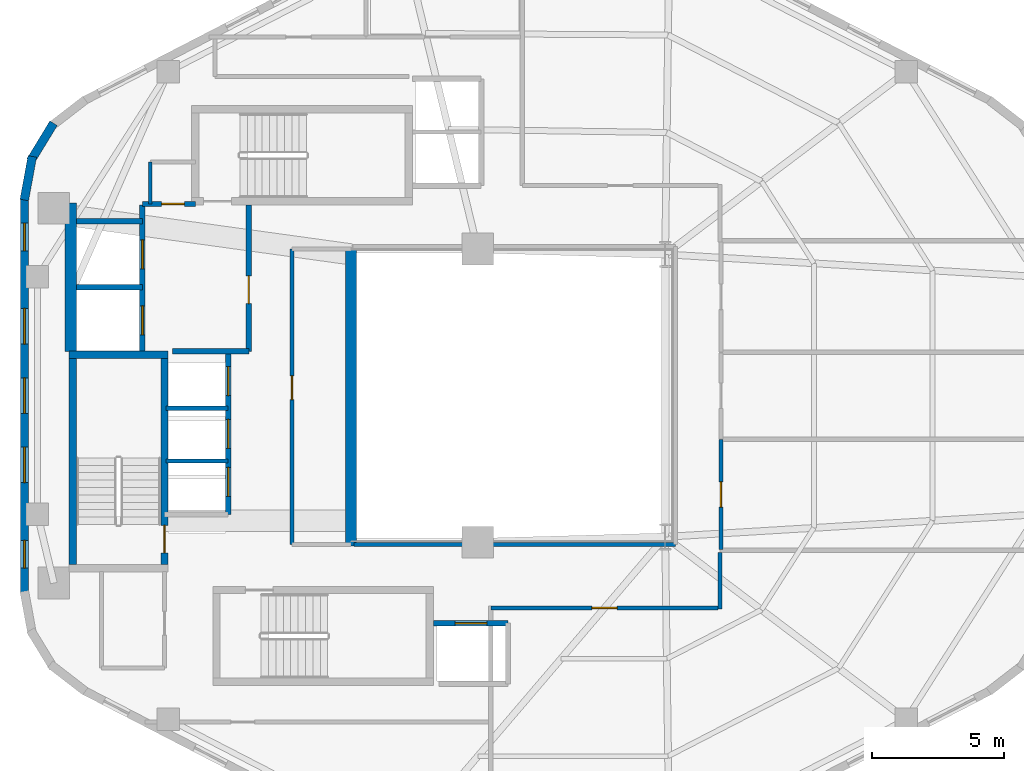
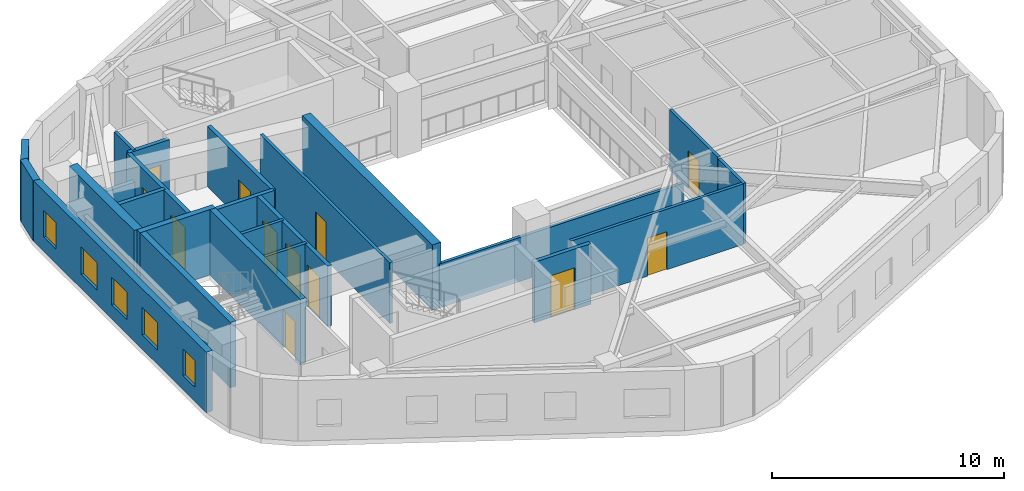
# One storey, part 3 of 6: 24 walls, 12 doors, 5 windows, 17 openings.
"""IFC4 building model written with IfcOpenShell, lengths in metres."""

from ifc_helpers import new_model, si_unit, direction, frame, frame_2d, origin, place, context, subcontext, project, spatial, rectangle, extrude, material, layer, layer_set, type_object, element, fill, save


model = new_model("IFC4")

# Units and contexts
model_context = context("Model", 3, precision=1e-05, world=origin(), true_north=direction((0.0, 1.0)))
body_context = subcontext(model_context, "Body", "Model", "MODEL_VIEW")
ifc_project = project(units=[si_unit("LENGTHUNIT", "METRE"), si_unit("AREAUNIT", "SQUARE_METRE"), si_unit("VOLUMEUNIT", "CUBIC_METRE"), si_unit("PLANEANGLEUNIT", "RADIAN"), si_unit("MASSUNIT", "GRAM", prefix="KILO"), si_unit("THERMODYNAMICTEMPERATUREUNIT", "KELVIN"), si_unit("POWERUNIT", "WATT")], contexts=[model_context])

# Site, building, storey
site_placement = place(None, origin())
site = spatial("IfcSite", under=ifc_project, at=site_placement, CompositionType="ELEMENT")
building_placement = place(site_placement, origin())
building = spatial("IfcBuilding", under=site, at=building_placement, Name="Skarre Station Tower", CompositionType="ELEMENT")
storey_placement = place(building_placement, frame((0.0, 0.0, 206.800048828125)))
storey = spatial("IfcBuildingStorey", under=building, at=storey_placement, Name="L56", CompositionType="ELEMENT", Elevation=206.800048828125)

# Wall, opening, door
ifc_material_1 = material(Name="Acoustic Steel-Stud Gypsum Partition", Category="steel")
ifc_layer_1 = layer(ifc_material_1, 0.14990234375, Name="Acoustic Steel-Stud Gypsum Partition")
ifc_layer_set_1 = layer_set([ifc_layer_1], Name="Acoustic Steel-Stud Gypsum Partition")
wall_type_1 = type_object("IfcWallType", Name="Fire-Rated Corridor Acoustic Partition 150", PredefinedType="PARTITIONING", material=ifc_layer_set_1)
wall_1_placement = place(storey_placement, frame((25.320068359375, 29.550048828125, 0.0), z_axis=(0.0, 0.0, 1.0), x_axis=(0.0, -1.0, 0.0)))
wall_1 = element("IfcWall", 1, at=wall_1_placement, inside=storey, type_object=wall_type_1, Name="L56 Interior Partition WL-PT-L56-RC2-W1", PredefinedType="PARTITIONING", context=body_context, shape_type="SweptSolid", body=[
    extrude(rectangle(XDim=11.18994140625, YDim=0.14990234375, at=frame_2d((5.594970703125, 0.0))), origin(), (0.0, 0.0, 1.0), 3.18994140625),
])
opening_1_placement = place(wall_1_placement, frame((4.800048828125, 0.0, 0.0)))
opening_1 = element("IfcOpeningElement", 2, at=opening_1_placement, cuts=wall_1, Name="Opening DR-SVC90", PredefinedType="OPENING", context=body_context, shape_type="SweptSolid", body=[
    extrude(rectangle(XDim=0.89990234375, YDim=2.0, at=frame_2d((0.449951171875, 1.0))), frame((0.0, 0.0849609375, 0.0), z_axis=(0.0, -1.0, 0.0), x_axis=(1.0, 0.0, 0.0)), (0.0, 0.0, 1.0), 0.169921875),
])
ifc_material_2 = material(Name="Powder-Coated Hollow-Metal Acoustic Fire Leaf", Category="steel")
door_type_1 = type_object("IfcDoorType", Name="Service & Riser Fire Door FD60 900x2100", OperationType="SINGLE_SWING_LEFT", PredefinedType="DOOR", material=ifc_material_2)
door_1_placement = place(opening_1_placement, origin())
door_1 = element("IfcDoor", 3, at=door_1_placement, inside=storey, type_object=door_type_1, Name="L56 Wine Pantry Door", OperationType="SINGLE_SWING_LEFT", OverallHeight=2.0, OverallWidth=0.89990234375, PredefinedType="DOOR", context=body_context, shape_type="SweptSolid", body=[
    extrude(rectangle(XDim=0.89990234375, YDim=2.0, at=frame_2d((0.449951171875, 1.0))), frame((0.0, 0.02490234375, 0.0), z_axis=(0.0, -1.0, 0.0), x_axis=(1.0, 0.0, 0.0)), (0.0, 0.0, 1.0), 0.050048828125),
])
fill(opening_1, door_1)

# Walls
wall_2_placement = place(storey_placement, frame((19.949951171875, 32.85009765625, 0.0), z_axis=(0.0, 0.0, 1.0), x_axis=(0.0, -1.0, 0.0)))
element("IfcWall", 4, at=wall_2_placement, inside=storey, type_object=wall_type_1, Name="L56 Interior Partition WL-PT-L56-CNW-W", PredefinedType="PARTITIONING", context=body_context, shape_type="SweptSolid", body=[
    extrude(rectangle(XDim=1.590087890625, YDim=0.14990234375, at=frame_2d((0.794921875, 0.0))), origin(), (0.0, 0.0, 1.0), 3.18994140625),
])
wall_3_placement = place(storey_placement, frame((27.675048828125, 18.360107421875, 0.0), z_axis=(0.0, 0.0, 1.0), x_axis=(1.0, 0.0, 0.0)))
element("IfcWall", 5, at=wall_3_placement, inside=storey, type_object=wall_type_1, Name="L56 Interior Partition WL-PT-L56-ATRW-S", PredefinedType="PARTITIONING", context=body_context, shape_type="SweptSolid", body=[
    extrude(rectangle(XDim=12.1650390625, YDim=0.14990234375, at=frame_2d((6.08251953125, 0.0))), origin(), (0.0, 0.0, 1.0), 2.3310546875),
])

# Wall, opening, door
wall_4_placement = place(storey_placement, frame((41.56005859375, 18.179931640625, 0.0), z_axis=(0.0, 0.0, 1.0), x_axis=(0.0, 1.0, 0.0)))
wall_4 = element("IfcWall", 6, at=wall_4_placement, inside=storey, type_object=wall_type_1, Name="L56 Interior Partition WL-PT-L56-EW1-CW", PredefinedType="PARTITIONING", context=body_context, shape_type="SweptSolid", body=[
    extrude(rectangle(XDim=4.149169921875, YDim=0.14990234375, at=frame_2d((2.07470703125, 0.0))), origin(), (0.0, 0.0, 1.0), 3.18994140625),
])
opening_2_placement = place(wall_4_placement, frame((1.594970703125, 0.0, 0.0)))
opening_2 = element("IfcOpeningElement", 7, at=opening_2_placement, cuts=wall_4, Name="Opening DR-FD60", PredefinedType="OPENING", context=body_context, shape_type="SweptSolid", body=[
    extrude(rectangle(XDim=0.9599609375, YDim=2.0, at=frame_2d((0.47998046875, 1.0))), frame((0.0, 0.0849609375, 0.0), z_axis=(0.0, -1.0, 0.0), x_axis=(1.0, 0.0, 0.0)), (0.0, 0.0, 1.0), 0.169921875),
])
ifc_material_3 = material(Name="Nordic White-Oak Veneer Solid-Core Fire Leaf", Category="wood")
door_type_2 = type_object("IfcDoorType", Name="Corridor Suite Entry Fire Door FD60 960x2150", OperationType="SINGLE_SWING_LEFT", PredefinedType="DOOR", material=ifc_material_3)
door_2_placement = place(opening_2_placement, origin())
door_2 = element("IfcDoor", 8, at=door_2_placement, inside=storey, type_object=door_type_2, Name="L56 EW1 Entry Door", OperationType="SINGLE_SWING_LEFT", OverallHeight=2.0, OverallWidth=0.9599609375, PredefinedType="DOOR", context=body_context, shape_type="SweptSolid", body=[
    extrude(rectangle(XDim=0.9599609375, YDim=2.0, at=frame_2d((0.47998046875, 1.0))), frame((0.0, 0.02490234375, 0.0), z_axis=(0.0, -1.0, 0.0), x_axis=(1.0, 0.0, 0.0)), (0.0, 0.0, 1.0), 0.050048828125),
])
fill(opening_2, door_2)

# Wall
wall_5_placement = place(storey_placement, frame((41.52001953125, 15.919921875, 0.0), z_axis=(0.0, 0.0, 1.0), x_axis=(0.0, 1.0, 0.0)))
element("IfcWall", 9, at=wall_5_placement, inside=storey, type_object=wall_type_1, Name="L56 Interior Partition WL-PT-L56-CORR-SER", PredefinedType="PARTITIONING", context=body_context, shape_type="SweptSolid", body=[
    extrude(rectangle(XDim=2.14208984375, YDim=0.14990234375, at=frame_2d((1.071044921875, 0.0))), origin(), (0.0, 0.0, 1.0), 3.18994140625),
])

# Wall, opening, door
wall_6_placement = place(storey_placement, frame((32.85009765625, 15.9599609375, 0.0), z_axis=(0.0, 0.0, 1.0), x_axis=(1.0, 0.0, 0.0)))
wall_6 = element("IfcWall", 10, at=wall_6_placement, inside=storey, type_object=wall_type_1, Name="L56 Interior Partition WL-PT-L56-SW1-CW", PredefinedType="PARTITIONING", context=body_context, shape_type="SweptSolid", body=[
    extrude(rectangle(XDim=8.60986328125, YDim=0.14990234375, at=frame_2d((4.304931640625, 0.0))), origin(), (0.0, 0.0, 1.0), 3.18994140625),
])
opening_3_placement = place(wall_6_placement, frame((3.824951171875, 0.0, 0.0)))
opening_3 = element("IfcOpeningElement", 11, at=opening_3_placement, cuts=wall_6, Name="Opening DR-FD60", PredefinedType="OPENING", context=body_context, shape_type="SweptSolid", body=[
    extrude(rectangle(XDim=0.9599609375, YDim=2.0, at=frame_2d((0.47998046875, 1.0))), frame((0.0, 0.0849609375, 0.0), z_axis=(0.0, -1.0, 0.0), x_axis=(1.0, 0.0, 0.0)), (0.0, 0.0, 1.0), 0.169921875),
])
door_3_placement = place(opening_3_placement, origin())
door_3 = element("IfcDoor", 12, at=door_3_placement, inside=storey, type_object=door_type_2, Name="L56 SW1 Entry Door", OperationType="SINGLE_SWING_LEFT", OverallHeight=2.0, OverallWidth=0.9599609375, PredefinedType="DOOR", context=body_context, shape_type="SweptSolid", body=[
    extrude(rectangle(XDim=0.9599609375, YDim=2.0, at=frame_2d((0.47998046875, 1.0))), frame((0.0, 0.02490234375, 0.0), z_axis=(0.0, -1.0, 0.0), x_axis=(1.0, 0.0, 0.0)), (0.0, 0.0, 1.0), 0.050048828125),
])
fill(opening_3, door_3)

# Walls
ifc_material_4 = material(Name="Precast concrete C45/55", Category="concrete")
ifc_layer_2 = layer(ifc_material_4, 0.330078125, Name="Precast concrete C45/55")
ifc_layer_set_2 = layer_set([ifc_layer_2], Name="Precast concrete C45/55")
wall_type_2 = type_object("IfcWallType", Name="Nordic Rounded Corner Precast Wall 330", PredefinedType="STANDARD", material=ifc_layer_set_2)
wall_7_placement = place(storey_placement, frame((15.178955078125, 31.407958984375, 0.0), z_axis=(0.0, 0.0, 1.0), x_axis=(0.180717642671, 0.983535019014, 0.0)))
element("IfcWall", 13, at=wall_7_placement, inside=storey, type_object=wall_type_2, Name="L56 Rounded Corner Precast Wall F2-1", PredefinedType="STANDARD", context=body_context, shape_type="SweptSolid", body=[
    extrude(rectangle(XDim=1.676513671875, YDim=0.330078125, at=frame_2d((0.83837890625, 0.0))), origin(), (0.0, 0.0, 1.0), 3.18994140625),
])
wall_8_placement = place(storey_placement, frame((15.4150390625, 32.882080078125, 0.0), z_axis=(0.0, 0.0, 1.0), x_axis=(0.520325409202, 0.853968072318, 0.0)))
element("IfcWall", 14, at=wall_8_placement, inside=storey, type_object=wall_type_2, Name="L56 Rounded Corner Precast Wall F2-2", PredefinedType="STANDARD", context=body_context, shape_type="SweptSolid", body=[
    extrude(rectangle(XDim=1.677978515625, YDim=0.330078125, at=frame_2d((0.8388671875, 0.0))), origin(), (0.0, 0.0, 1.0), 3.18994140625),
])

# Wall, openings, windows
ifc_layer_3 = layer(ifc_material_4, 0.31005859375, Name="Precast concrete C45/55")
ifc_layer_set_3 = layer_set([ifc_layer_3], Name="Precast concrete C45/55")
wall_type_3 = type_object("IfcWallType", Name="Nordic Upper-Zone Precast Facet Wall 310", PredefinedType="STANDARD", material=ifc_layer_set_3)
wall_9_placement = place(storey_placement, frame((15.18310546875, 16.498046875, 0.0), z_axis=(0.0, 0.0, 1.0), x_axis=(0.0, 1.0, 0.0)))
wall_9 = element("IfcWall", 15, at=wall_9_placement, inside=storey, type_object=wall_type_3, Name="L56 Facet 2 Nordic Precast Masonry Wall", PredefinedType="STANDARD", context=body_context, shape_type="SweptSolid", body=[
    extrude(rectangle(XDim=15.00390625, YDim=0.31005859375, at=frame_2d((7.501953125, 0.0))), origin(), (0.0, 0.0, 1.0), 3.18994140625),
])
opening_4_placement = place(wall_9_placement, frame((0.968017578125, 0.0, 0.75)))
opening_4 = element("IfcOpeningElement", 16, at=opening_4_placement, cuts=wall_9, Name="Opening WN-SLT", PredefinedType="OPENING", context=body_context, shape_type="SweptSolid", body=[
    extrude(rectangle(XDim=1.050048828125, YDim=1.39990234375, at=frame_2d((0.52490234375, 0.699951171875))), frame((0.0, 0.1650390625, 0.0), z_axis=(0.0, -1.0, 0.0), x_axis=(1.0, 0.0, 0.0)), (0.0, 0.0, 1.0), 0.330078125),
])
opening_5_placement = place(wall_9_placement, frame((4.202880859375, 0.0, 0.75)))
opening_5 = element("IfcOpeningElement", 17, at=opening_5_placement, cuts=wall_9, Name="Opening WN-Z3B", PredefinedType="OPENING", context=body_context, shape_type="SweptSolid", body=[
    extrude(rectangle(XDim=1.35009765625, YDim=1.449951171875, at=frame_2d((0.675048828125, 0.72509765625))), frame((0.0, 0.1650390625, 0.0), z_axis=(0.0, -1.0, 0.0), x_axis=(1.0, 0.0, 0.0)), (0.0, 0.0, 1.0), 0.330078125),
])
opening_6_placement = place(wall_9_placement, frame((6.826904296875, 0.0, 0.75)))
opening_6 = element("IfcOpeningElement", 18, at=opening_6_placement, cuts=wall_9, Name="Opening WN-Z3B", PredefinedType="OPENING", context=body_context, shape_type="SweptSolid", body=[
    extrude(rectangle(XDim=1.35009765625, YDim=1.449951171875, at=frame_2d((0.675048828125, 0.72509765625))), frame((0.0, 0.1650390625, 0.0), z_axis=(0.0, -1.0, 0.0), x_axis=(1.0, 0.0, 0.0)), (0.0, 0.0, 1.0), 0.330078125),
])
opening_7_placement = place(wall_9_placement, frame((9.450927734375, 0.0, 0.75)))
opening_7 = element("IfcOpeningElement", 19, at=opening_7_placement, cuts=wall_9, Name="Opening WN-Z3B", PredefinedType="OPENING", context=body_context, shape_type="SweptSolid", body=[
    extrude(rectangle(XDim=1.35009765625, YDim=1.449951171875, at=frame_2d((0.675048828125, 0.72509765625))), frame((0.0, 0.1650390625, 0.0), z_axis=(0.0, -1.0, 0.0), x_axis=(1.0, 0.0, 0.0)), (0.0, 0.0, 1.0), 0.330078125),
])
opening_8_placement = place(wall_9_placement, frame((12.986083984375, 0.0, 0.75)))
opening_8 = element("IfcOpeningElement", 20, at=opening_8_placement, cuts=wall_9, Name="Opening WN-SLT", PredefinedType="OPENING", context=body_context, shape_type="SweptSolid", body=[
    extrude(rectangle(XDim=1.050048828125, YDim=1.39990234375, at=frame_2d((0.52490234375, 0.699951171875))), frame((0.0, 0.1650390625, 0.0), z_axis=(0.0, -1.0, 0.0), x_axis=(1.0, 0.0, 0.0)), (0.0, 0.0, 1.0), 0.330078125),
])
ifc_material_5 = material(Name="Low-Iron Triple Glazing with Bronze Anodized Frame", Category="glass")
window_type_1 = type_object("IfcWindowType", Name="Nordic Corner Slot Window 1050x1400", PartitioningType="SINGLE_PANEL", PredefinedType="WINDOW", material=ifc_material_5)
window_1_placement = place(opening_4_placement, origin())
window_1 = element("IfcWindow", 21, at=window_1_placement, inside=storey, type_object=window_type_1, Name="L56 Facade Window WL-FAC-L56-F2-1", OverallHeight=1.39990234375, OverallWidth=1.050048828125, PartitioningType="SINGLE_PANEL", PredefinedType="WINDOW", context=body_context, shape_type="SweptSolid", body=[
    extrude(rectangle(XDim=1.050048828125, YDim=1.39990234375, at=frame_2d((0.52490234375, 0.699951171875))), frame((0.0, 0.030029296875, 0.0), z_axis=(0.0, -1.0, 0.0), x_axis=(1.0, 0.0, 0.0)), (0.0, 0.0, 1.0), 0.06005859375),
])
fill(opening_4, window_1)
window_2_placement = place(opening_8_placement, origin())
window_2 = element("IfcWindow", 22, at=window_2_placement, inside=storey, type_object=window_type_1, Name="L56 Facade Window WL-FAC-L56-F2-5", OverallHeight=1.39990234375, OverallWidth=1.050048828125, PartitioningType="SINGLE_PANEL", PredefinedType="WINDOW", context=body_context, shape_type="SweptSolid", body=[
    extrude(rectangle(XDim=1.050048828125, YDim=1.39990234375, at=frame_2d((0.52490234375, 0.699951171875))), frame((0.0, 0.030029296875, 0.0), z_axis=(0.0, -1.0, 0.0), x_axis=(1.0, 0.0, 0.0)), (0.0, 0.0, 1.0), 0.06005859375),
])
fill(opening_8, window_2)
window_type_2 = type_object("IfcWindowType", Name="Nordic Hospitality Narrow Window 1350x1450", PartitioningType="SINGLE_PANEL", PredefinedType="WINDOW", material=ifc_material_5)
window_3_placement = place(opening_5_placement, origin())
window_3 = element("IfcWindow", 23, at=window_3_placement, inside=storey, type_object=window_type_2, Name="L56 Facade Window WL-FAC-L56-F2-2", OverallHeight=1.449951171875, OverallWidth=1.35009765625, PartitioningType="SINGLE_PANEL", PredefinedType="WINDOW", context=body_context, shape_type="SweptSolid", body=[
    extrude(rectangle(XDim=1.35009765625, YDim=1.449951171875, at=frame_2d((0.675048828125, 0.72509765625))), frame((0.0, 0.030029296875, 0.0), z_axis=(0.0, -1.0, 0.0), x_axis=(1.0, 0.0, 0.0)), (0.0, 0.0, 1.0), 0.06005859375),
])
fill(opening_5, window_3)
window_4_placement = place(opening_6_placement, origin())
window_4 = element("IfcWindow", 24, at=window_4_placement, inside=storey, type_object=window_type_2, Name="L56 Facade Window WL-FAC-L56-F2-3", OverallHeight=1.449951171875, OverallWidth=1.35009765625, PartitioningType="SINGLE_PANEL", PredefinedType="WINDOW", context=body_context, shape_type="SweptSolid", body=[
    extrude(rectangle(XDim=1.35009765625, YDim=1.449951171875, at=frame_2d((0.675048828125, 0.72509765625))), frame((0.0, 0.030029296875, 0.0), z_axis=(0.0, -1.0, 0.0), x_axis=(1.0, 0.0, 0.0)), (0.0, 0.0, 1.0), 0.06005859375),
])
fill(opening_6, window_4)
window_5_placement = place(opening_7_placement, origin())
window_5 = element("IfcWindow", 25, at=window_5_placement, inside=storey, type_object=window_type_2, Name="L56 Facade Window WL-FAC-L56-F2-4", OverallHeight=1.449951171875, OverallWidth=1.35009765625, PartitioningType="SINGLE_PANEL", PredefinedType="WINDOW", context=body_context, shape_type="SweptSolid", body=[
    extrude(rectangle(XDim=1.35009765625, YDim=1.449951171875, at=frame_2d((0.675048828125, 0.72509765625))), frame((0.0, 0.030029296875, 0.0), z_axis=(0.0, -1.0, 0.0), x_axis=(1.0, 0.0, 0.0)), (0.0, 0.0, 1.0), 0.06005859375),
])
fill(opening_7, window_5)

# Walls
ifc_material_6 = material(Name="Concrete C50/60", Category="concrete")
ifc_layer_4 = layer(ifc_material_6, 0.280029296875, Name="Concrete C50/60")
ifc_layer_set_4 = layer_set([ifc_layer_4], Name="Concrete C50/60")
wall_type_4 = type_object("IfcWallType", Name="RC Core Shear Wall 280", PredefinedType="SHEAR", material=ifc_layer_set_4)
wall_10_placement = place(storey_placement, frame((20.6298828125, 25.5400390625, 0.0), z_axis=(0.0, 0.0, 1.0), x_axis=(-1.0, 0.0, 0.0)))
element("IfcWall", 26, at=wall_10_placement, inside=storey, type_object=wall_type_4, Name="L56 Stair ST-1 North Shear Wall", PredefinedType="SHEAR", context=body_context, shape_type="SweptSolid", body=[
    extrude(rectangle(XDim=3.759765625, YDim=0.280029296875, at=frame_2d((1.8798828125, 0.0))), origin(), (0.0, 0.0, 1.0), 3.449951171875),
])
wall_11_placement = place(storey_placement, frame((17.010009765625, 25.39990234375, 0.0), z_axis=(0.0, 0.0, 1.0), x_axis=(0.0, -1.0, 0.0)))
element("IfcWall", 27, at=wall_11_placement, inside=storey, type_object=wall_type_4, Name="L56 Stair ST-1 West Shear Wall", PredefinedType="SHEAR", context=body_context, shape_type="SweptSolid", body=[
    extrude(rectangle(XDim=7.7998046875, YDim=0.280029296875, at=frame_2d((3.89990234375, 0.0))), origin(), (0.0, 0.0, 1.0), 3.449951171875),
])

# Wall, opening, door
wall_12_placement = place(storey_placement, frame((20.489990234375, 17.60009765625, 0.0), z_axis=(0.0, 0.0, 1.0), x_axis=(0.0, 1.0, 0.0)))
wall_12 = element("IfcWall", 28, at=wall_12_placement, inside=storey, type_object=wall_type_4, Name="L56 Stair ST-1 East Shear Wall", PredefinedType="SHEAR", context=body_context, shape_type="SweptSolid", body=[
    extrude(rectangle(XDim=7.7998046875, YDim=0.280029296875, at=frame_2d((3.89990234375, 0.0))), origin(), (0.0, 0.0, 1.0), 3.449951171875),
])
opening_9_placement = place(wall_12_placement, frame((0.43994140625, 0.0, 0.0)))
opening_9 = element("IfcOpeningElement", 29, at=opening_9_placement, cuts=wall_12, Name="Opening DR-FD90", PredefinedType="OPENING", context=body_context, shape_type="SweptSolid", body=[
    extrude(rectangle(XDim=1.050048828125, YDim=2.0, at=frame_2d((0.52490234375, 1.0))), frame((0.0, 0.14990234375, 0.0), z_axis=(0.0, -1.0, 0.0), x_axis=(1.0, 0.0, 0.0)), (0.0, 0.0, 1.0), 0.300048828125),
])
ifc_material_7 = material(Name="Fire-Rated Insulated Steel Frame & Timber Core Leaf", Category="steel")
door_type_3 = type_object("IfcDoorType", Name="Stair & FSAE Lobby Fire Door FD90 1050x2150", OperationType="SINGLE_SWING_RIGHT", PredefinedType="DOOR", material=ifc_material_7)
door_4_placement = place(opening_9_placement, origin())
door_4 = element("IfcDoor", 30, at=door_4_placement, inside=storey, type_object=door_type_3, Name="L56 Stair ST-1 Exit Door", OperationType="SINGLE_SWING_RIGHT", OverallHeight=2.0, OverallWidth=1.050048828125, PredefinedType="DOOR", context=body_context, shape_type="SweptSolid", body=[
    extrude(rectangle(XDim=1.050048828125, YDim=2.0, at=frame_2d((0.52490234375, 1.0))), frame((0.0, 0.02490234375, 0.0), z_axis=(0.0, -1.0, 0.0), x_axis=(1.0, 0.0, 0.0)), (0.0, 0.0, 1.0), 0.050048828125),
])
fill(opening_9, door_4)

# Walls
ifc_material_8 = material(Name="Concrete C60/75", Category="concrete")
ifc_layer_5 = layer(ifc_material_8, 0.419921875, Name="Concrete C60/75")
ifc_layer_set_5 = layer_set([ifc_layer_5], Name="Concrete C60/75")
wall_type_5 = type_object("IfcWallType", Name="RC Core Shear Wall 420", PredefinedType="SHEAR", material=ifc_layer_set_5)
wall_13_placement = place(storey_placement, frame((16.93994140625, 25.679931640625, 0.0), z_axis=(0.0, 0.0, 1.0), x_axis=(0.0, 1.0, 0.0)))
element("IfcWall", 31, at=wall_13_placement, inside=storey, type_object=wall_type_5, Name="L56 Core West-North Shear Wall", PredefinedType="SHEAR", context=body_context, shape_type="SweptSolid", body=[
    extrude(rectangle(XDim=5.6201171875, YDim=0.419921875, at=frame_2d((2.81005859375, 0.0))), origin(), (0.0, 0.0, 1.0), 3.449951171875),
])
wall_14_placement = place(storey_placement, frame((27.550048828125, 29.550048828125, 0.0), z_axis=(0.0, 0.0, 1.0), x_axis=(0.0, -1.0, 0.0)))
element("IfcWall", 32, at=wall_14_placement, inside=storey, type_object=wall_type_5, Name="L56 Core East Atrium Shear Wall", PredefinedType="SHEAR", context=body_context, shape_type="SweptSolid", body=[
    extrude(rectangle(XDim=11.25, YDim=0.419921875, at=frame_2d((5.625, 0.0))), origin(), (0.0, 0.0, 1.0), 3.449951171875),
])

# Wall, openings, doors
ifc_material_9 = material(Name="Gypsum Concrete Shaft Assembly C30/37", Category="concrete")
ifc_layer_6 = layer(ifc_material_9, 0.199951171875, Name="Gypsum Concrete Shaft Assembly C30/37")
ifc_layer_set_6 = layer_set([ifc_layer_6], Name="Gypsum Concrete Shaft Assembly C30/37")
wall_type_6 = type_object("IfcWallType", Name="Shaft & Core Fire Partition 200", PredefinedType="PARTITIONING", material=ifc_layer_set_6)
wall_15_placement = place(storey_placement, frame((19.64990234375, 25.679931640625, 0.0), z_axis=(0.0, 0.0, 1.0), x_axis=(0.0, 1.0, 0.0)))
wall_15 = element("IfcWall", 33, at=wall_15_placement, inside=storey, type_object=wall_type_6, Name="L56 Interior Partition WL-PT-L56-FSAE-W", PredefinedType="PARTITIONING", context=body_context, shape_type="SweptSolid", body=[
    extrude(rectangle(XDim=5.5400390625, YDim=0.199951171875, at=frame_2d((2.77001953125, 0.0))), origin(), (0.0, 0.0, 1.0), 3.18994140625),
])
opening_10_placement = place(wall_15_placement, frame((0.6201171875, 0.0, 0.0)))
opening_10 = element("IfcOpeningElement", 34, at=opening_10_placement, cuts=wall_15, Name="Opening LD-FF1", PredefinedType="OPENING", context=body_context, shape_type="SweptSolid", body=[
    extrude(rectangle(XDim=1.10009765625, YDim=2.199951171875, at=frame_2d((0.550048828125, 1.10009765625))), frame((0.0, 0.10986328125, 0.0), z_axis=(0.0, -1.0, 0.0), x_axis=(1.0, 0.0, 0.0)), (0.0, 0.0, 1.0), 0.219970703125),
])
opening_11_placement = place(wall_15_placement, frame((3.1201171875, 0.0, 0.0)))
opening_11 = element("IfcOpeningElement", 35, at=opening_11_placement, cuts=wall_15, Name="Opening LD-FF2", PredefinedType="OPENING", context=body_context, shape_type="SweptSolid", body=[
    extrude(rectangle(XDim=1.10009765625, YDim=2.199951171875, at=frame_2d((0.550048828125, 1.10009765625))), frame((0.0, 0.10986328125, 0.0), z_axis=(0.0, -1.0, 0.0), x_axis=(1.0, 0.0, 0.0)), (0.0, 0.0, 1.0), 0.219970703125),
])
ifc_material_10 = material(Name="Fire-Rated Stainless Steel Grade 316L Sliding Leaves", Category="steel")
door_type_4 = type_object("IfcDoorType", Name="Fire Service Access Elevator Sliding Landing Door 1100x2200", OperationType="SLIDING_TO_LEFT", PredefinedType="DOOR", material=ifc_material_10)
door_5_placement = place(opening_10_placement, origin())
door_5 = element("IfcDoor", 36, at=door_5_placement, inside=storey, type_object=door_type_4, Name="L56 Firefighting Lift LF-FF1 Landing Door", OperationType="SLIDING_TO_LEFT", OverallHeight=2.199951171875, OverallWidth=1.10009765625, PredefinedType="DOOR", context=body_context, shape_type="SweptSolid", body=[
    extrude(rectangle(XDim=1.10009765625, YDim=2.199951171875, at=frame_2d((0.550048828125, 1.10009765625))), frame((0.0, 0.02490234375, 0.0), z_axis=(0.0, -1.0, 0.0), x_axis=(1.0, 0.0, 0.0)), (0.0, 0.0, 1.0), 0.050048828125),
])
fill(opening_10, door_5)
door_6_placement = place(opening_11_placement, origin())
door_6 = element("IfcDoor", 37, at=door_6_placement, inside=storey, type_object=door_type_4, Name="L56 Firefighting Lift LF-FF2 Landing Door", OperationType="SLIDING_TO_LEFT", OverallHeight=2.199951171875, OverallWidth=1.10009765625, PredefinedType="DOOR", context=body_context, shape_type="SweptSolid", body=[
    extrude(rectangle(XDim=1.10009765625, YDim=2.199951171875, at=frame_2d((0.550048828125, 1.10009765625))), frame((0.0, 0.02490234375, 0.0), z_axis=(0.0, -1.0, 0.0), x_axis=(1.0, 0.0, 0.0)), (0.0, 0.0, 1.0), 0.050048828125),
])
fill(opening_11, door_6)

# Wall
wall_16_placement = place(storey_placement, frame((20.79296875, 25.679931640625, 0.0), z_axis=(0.0, 0.0, 1.0), x_axis=(1.0, 0.0, 0.0)))
element("IfcWall", 38, at=wall_16_placement, inside=storey, type_object=wall_type_6, Name="L56 Interior Partition WL-PT-L56-FSAE-S", PredefinedType="PARTITIONING", context=body_context, shape_type="SweptSolid", body=[
    extrude(rectangle(XDim=2.886962890625, YDim=0.199951171875, at=frame_2d((1.443359375, 0.0))), origin(), (0.0, 0.0, 1.0), 3.18994140625),
])

# Wall, opening, door
wall_17_placement = place(storey_placement, frame((23.679931640625, 25.679931640625, 0.0), z_axis=(0.0, 0.0, 1.0), x_axis=(0.0, 1.0, 0.0)))
wall_17 = element("IfcWall", 39, at=wall_17_placement, inside=storey, type_object=wall_type_6, Name="L56 Interior Partition WL-PT-L56-FSAE-E", PredefinedType="PARTITIONING", context=body_context, shape_type="SweptSolid", body=[
    extrude(rectangle(XDim=5.5400390625, YDim=0.199951171875, at=frame_2d((2.77001953125, 0.0))), origin(), (0.0, 0.0, 1.0), 3.18994140625),
])
opening_12_placement = place(wall_17_placement, frame((1.800048828125, 0.0, 0.0)))
opening_12 = element("IfcOpeningElement", 40, at=opening_12_placement, cuts=wall_17, Name="Opening DR-FD90", PredefinedType="OPENING", context=body_context, shape_type="SweptSolid", body=[
    extrude(rectangle(XDim=1.050048828125, YDim=2.0, at=frame_2d((0.52490234375, 1.0))), frame((0.0, 0.10986328125, 0.0), z_axis=(0.0, -1.0, 0.0), x_axis=(1.0, 0.0, 0.0)), (0.0, 0.0, 1.0), 0.219970703125),
])
door_7_placement = place(opening_12_placement, origin())
door_7 = element("IfcDoor", 41, at=door_7_placement, inside=storey, type_object=door_type_3, Name="L56 FSAE Lobby Fire Door", OperationType="SINGLE_SWING_RIGHT", OverallHeight=2.0, OverallWidth=1.050048828125, PredefinedType="DOOR", context=body_context, shape_type="SweptSolid", body=[
    extrude(rectangle(XDim=1.050048828125, YDim=2.0, at=frame_2d((0.52490234375, 1.0))), frame((0.0, 0.02490234375, 0.0), z_axis=(0.0, -1.0, 0.0), x_axis=(1.0, 0.0, 0.0)), (0.0, 0.0, 1.0), 0.050048828125),
])
fill(opening_12, door_7)

wall_18_placement = place(storey_placement, frame((21.659912109375, 31.260009765625, 0.0), z_axis=(0.0, 0.0, 1.0), x_axis=(-1.0, 0.0, 0.0)))
wall_18 = element("IfcWall", 42, at=wall_18_placement, inside=storey, type_object=wall_type_6, Name="L56 Interior Partition WL-PT-L56-FSAE-N", PredefinedType="PARTITIONING", context=body_context, shape_type="SweptSolid", body=[
    extrude(rectangle(XDim=2.010009765625, YDim=0.199951171875, at=frame_2d((1.0048828125, 0.0))), origin(), (0.0, 0.0, 1.0), 3.18994140625),
])
opening_13_placement = place(wall_18_placement, frame((0.419921875, 0.0, 0.0)))
opening_13 = element("IfcOpeningElement", 43, at=opening_13_placement, cuts=wall_18, Name="Opening DR-SVC86", PredefinedType="OPENING", context=body_context, shape_type="SweptSolid", body=[
    extrude(rectangle(XDim=0.860107421875, YDim=2.0, at=frame_2d((0.43017578125, 1.0))), frame((0.0, 0.10986328125, 0.0), z_axis=(0.0, -1.0, 0.0), x_axis=(1.0, 0.0, 0.0)), (0.0, 0.0, 1.0), 0.219970703125),
])
door_type_5 = type_object("IfcDoorType", Name="Compact Riser Fire Door FD60 860x2100", OperationType="SINGLE_SWING_LEFT", PredefinedType="DOOR", material=ifc_material_2)
door_8_placement = place(opening_13_placement, origin())
door_8 = element("IfcDoor", 44, at=door_8_placement, inside=storey, type_object=door_type_5, Name="L56 Core Service Room Lobby Door", OperationType="SINGLE_SWING_LEFT", OverallHeight=2.0, OverallWidth=0.860107421875, PredefinedType="DOOR", context=body_context, shape_type="SweptSolid", body=[
    extrude(rectangle(XDim=0.860107421875, YDim=2.0, at=frame_2d((0.43017578125, 1.0))), frame((0.0, 0.02490234375, 0.0), z_axis=(0.0, -1.0, 0.0), x_axis=(1.0, 0.0, 0.0)), (0.0, 0.0, 1.0), 0.050048828125),
])
fill(opening_13, door_8)

# Walls
wall_19_placement = place(storey_placement, frame((17.14990234375, 28.10009765625, 0.0), z_axis=(0.0, 0.0, 1.0), x_axis=(1.0, 0.0, 0.0)))
element("IfcWall", 45, at=wall_19_placement, inside=storey, type_object=wall_type_6, Name="L56 Interior Partition WL-PT-L56-FF-DIV", PredefinedType="PARTITIONING", context=body_context, shape_type="SweptSolid", body=[
    extrude(rectangle(XDim=2.5, YDim=0.199951171875, at=frame_2d((1.25, 0.0))), origin(), (0.0, 0.0, 1.0), 3.18994140625),
])
wall_20_placement = place(storey_placement, frame((19.64990234375, 30.60009765625, 0.0), z_axis=(0.0, 0.0, 1.0), x_axis=(-1.0, 0.0, 0.0)))
element("IfcWall", 46, at=wall_20_placement, inside=storey, type_object=wall_type_6, Name="L56 Interior Partition WL-PT-L56-FF-N", PredefinedType="PARTITIONING", context=body_context, shape_type="SweptSolid", body=[
    extrude(rectangle(XDim=2.5, YDim=0.199951171875, at=frame_2d((1.25, 0.0))), origin(), (0.0, 0.0, 1.0), 2.08984375),
])

# Wall, opening, door
wall_21_placement = place(storey_placement, frame((33.5, 15.3798828125, 0.0), z_axis=(0.0, 0.0, 1.0), x_axis=(-1.0, 0.0, 0.0)))
wall_21 = element("IfcWall", 47, at=wall_21_placement, inside=storey, type_object=wall_type_6, Name="L56 Interior Partition WL-PT-L56-SV1-N", PredefinedType="PARTITIONING", context=body_context, shape_type="SweptSolid", body=[
    extrude(rectangle(XDim=2.820068359375, YDim=0.199951171875, at=frame_2d((1.41015625, 0.0))), origin(), (0.0, 0.0, 1.0), 3.18994140625),
])
opening_14_placement = place(wall_21_placement, frame((0.800048828125, 0.0, 0.0)))
opening_14 = element("IfcOpeningElement", 48, at=opening_14_placement, cuts=wall_21, Name="Opening LD-SV1", PredefinedType="OPENING", context=body_context, shape_type="SweptSolid", body=[
    extrude(rectangle(XDim=1.199951171875, YDim=2.199951171875, at=frame_2d((0.60009765625, 1.10009765625))), frame((0.0, 0.10986328125, 0.0), z_axis=(0.0, -1.0, 0.0), x_axis=(1.0, 0.0, 0.0)), (0.0, 0.0, 1.0), 0.219970703125),
])
ifc_material_11 = material(Name="Heavy-Gauge Brushed Stainless Steel Sliding Leaves", Category="steel")
door_type_6 = type_object("IfcDoorType", Name="Service Elevator Wide Sliding Landing Door 1200x2200", OperationType="SLIDING_TO_RIGHT", PredefinedType="DOOR", material=ifc_material_11)
door_9_placement = place(opening_14_placement, origin())
door_9 = element("IfcDoor", 49, at=door_9_placement, inside=storey, type_object=door_type_6, Name="L56 Service Lift LF-SV1 Landing Door", OperationType="SLIDING_TO_RIGHT", OverallHeight=2.199951171875, OverallWidth=1.199951171875, PredefinedType="DOOR", context=body_context, shape_type="SweptSolid", body=[
    extrude(rectangle(XDim=1.199951171875, YDim=2.199951171875, at=frame_2d((0.60009765625, 1.10009765625))), frame((0.0, 0.02490234375, 0.0), z_axis=(0.0, -1.0, 0.0), x_axis=(1.0, 0.0, 0.0)), (0.0, 0.0, 1.0), 0.050048828125),
])
fill(opening_14, door_9)

# Wall, openings, doors
wall_22_placement = place(storey_placement, frame((22.89990234375, 19.5, 0.0), z_axis=(0.0, 0.0, 1.0), x_axis=(0.0, 1.0, 0.0)))
wall_22 = element("IfcWall", 50, at=wall_22_placement, inside=storey, type_object=wall_type_6, Name="L56 Interior Partition WL-PT-L56-B3-E", PredefinedType="PARTITIONING", context=body_context, shape_type="SweptSolid", body=[
    extrude(rectangle(XDim=6.0849609375, YDim=0.199951171875, at=frame_2d((3.04248046875, 0.0))), origin(), (0.0, 0.0, 1.0), 3.18994140625),
])
opening_15_placement = place(wall_22_placement, frame((0.679931640625, 0.0, 0.0)))
opening_15 = element("IfcOpeningElement", 51, at=opening_15_placement, cuts=wall_22, Name="Opening LD-P7", PredefinedType="OPENING", context=body_context, shape_type="SweptSolid", body=[
    extrude(rectangle(XDim=1.10009765625, YDim=2.199951171875, at=frame_2d((0.550048828125, 1.10009765625))), frame((0.0, 0.10986328125, 0.0), z_axis=(0.0, -1.0, 0.0), x_axis=(1.0, 0.0, 0.0)), (0.0, 0.0, 1.0), 0.219970703125),
])
opening_16_placement = place(wall_22_placement, frame((2.5, 0.0, 0.0)))
opening_16 = element("IfcOpeningElement", 52, at=opening_16_placement, cuts=wall_22, Name="Opening LD-P8", PredefinedType="OPENING", context=body_context, shape_type="SweptSolid", body=[
    extrude(rectangle(XDim=1.10009765625, YDim=2.199951171875, at=frame_2d((0.550048828125, 1.10009765625))), frame((0.0, 0.10986328125, 0.0), z_axis=(0.0, -1.0, 0.0), x_axis=(1.0, 0.0, 0.0)), (0.0, 0.0, 1.0), 0.219970703125),
])
opening_17_placement = place(wall_22_placement, frame((4.5, 0.0, 0.0)))
opening_17 = element("IfcOpeningElement", 53, at=opening_17_placement, cuts=wall_22, Name="Opening LD-P9", PredefinedType="OPENING", context=body_context, shape_type="SweptSolid", body=[
    extrude(rectangle(XDim=1.10009765625, YDim=2.199951171875, at=frame_2d((0.550048828125, 1.10009765625))), frame((0.0, 0.10986328125, 0.0), z_axis=(0.0, -1.0, 0.0), x_axis=(1.0, 0.0, 0.0)), (0.0, 0.0, 1.0), 0.219970703125),
])
ifc_material_12 = material(Name="Brushed Bronze Stainless Steel Sliding Leaves", Category="steel")
door_type_7 = type_object("IfcDoorType", Name="Passenger Elevator Center-Parting Sliding Door 1100x2200", OperationType="SLIDING_TO_LEFT", PredefinedType="DOOR", material=ifc_material_12)
door_10_placement = place(opening_15_placement, origin())
door_10 = element("IfcDoor", 54, at=door_10_placement, inside=storey, type_object=door_type_7, Name="L56 Passenger Lift LF-P7 Landing Door", OperationType="SLIDING_TO_LEFT", OverallHeight=2.199951171875, OverallWidth=1.10009765625, PredefinedType="DOOR", context=body_context, shape_type="SweptSolid", body=[
    extrude(rectangle(XDim=1.10009765625, YDim=2.199951171875, at=frame_2d((0.550048828125, 1.10009765625))), frame((0.0, 0.02490234375, 0.0), z_axis=(0.0, -1.0, 0.0), x_axis=(1.0, 0.0, 0.0)), (0.0, 0.0, 1.0), 0.050048828125),
])
fill(opening_15, door_10)
door_11_placement = place(opening_16_placement, origin())
door_11 = element("IfcDoor", 55, at=door_11_placement, inside=storey, type_object=door_type_7, Name="L56 Passenger Lift LF-P8 Landing Door", OperationType="SLIDING_TO_LEFT", OverallHeight=2.199951171875, OverallWidth=1.10009765625, PredefinedType="DOOR", context=body_context, shape_type="SweptSolid", body=[
    extrude(rectangle(XDim=1.10009765625, YDim=2.199951171875, at=frame_2d((0.550048828125, 1.10009765625))), frame((0.0, 0.02490234375, 0.0), z_axis=(0.0, -1.0, 0.0), x_axis=(1.0, 0.0, 0.0)), (0.0, 0.0, 1.0), 0.050048828125),
])
fill(opening_16, door_11)
door_12_placement = place(opening_17_placement, origin())
door_12 = element("IfcDoor", 56, at=door_12_placement, inside=storey, type_object=door_type_7, Name="L56 Passenger Lift LF-P9 Landing Door", OperationType="SLIDING_TO_LEFT", OverallHeight=2.199951171875, OverallWidth=1.10009765625, PredefinedType="DOOR", context=body_context, shape_type="SweptSolid", body=[
    extrude(rectangle(XDim=1.10009765625, YDim=2.199951171875, at=frame_2d((0.550048828125, 1.10009765625))), frame((0.0, 0.02490234375, 0.0), z_axis=(0.0, -1.0, 0.0), x_axis=(1.0, 0.0, 0.0)), (0.0, 0.0, 1.0), 0.050048828125),
])
fill(opening_17, door_12)

# Walls
for number, where, z_axis, x_axis, name in (
    (57, (20.550048828125, 21.52001953125, 0.0), (0.0, 0.0, 1.0), (1.0, 0.0, 0.0), "L56 Interior Partition WL-PT-L56-B3-D1"),
    (58, (20.550048828125, 23.52001953125, 0.0), (0.0, 0.0, 1.0), (1.0, 0.0, 0.0), "L56 Interior Partition WL-PT-L56-B3-D2"),
):
    element("IfcWall", number, at=place(storey_placement, frame(where, z_axis=z_axis, x_axis=x_axis)), inside=storey, type_object=wall_type_6, Name=name, PredefinedType="PARTITIONING", context=body_context, shape_type="SweptSolid", body=[
        extrude(rectangle(XDim=2.349853515625, YDim=0.159912109375, at=frame_2d((1.1748046875, 0.0))), origin(), (0.0, 0.0, 1.0), 3.18994140625),
    ])

save(model, "model.ifc")
